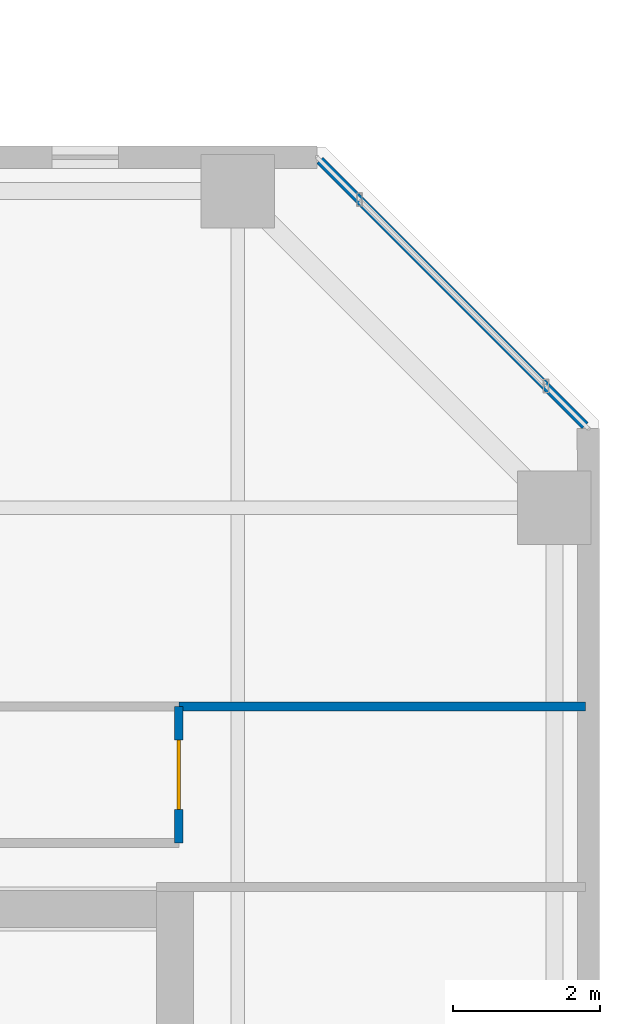
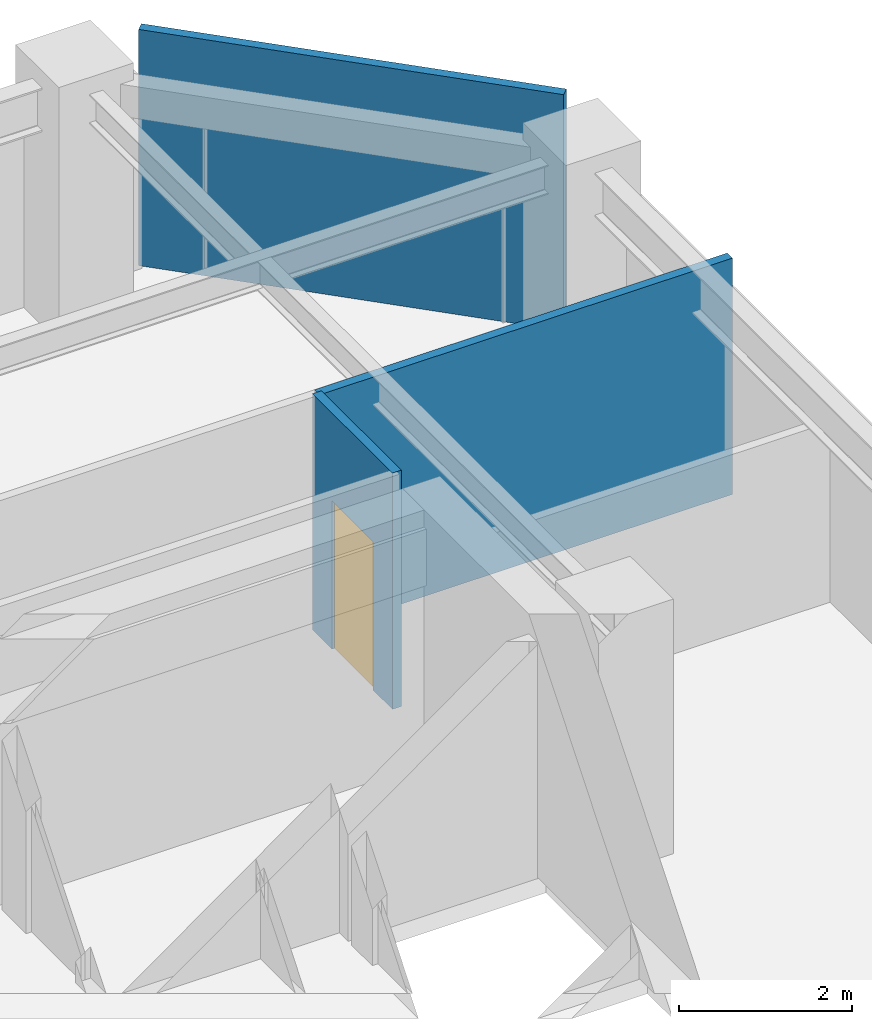
# One storey, part 26 of 33: 3 walls, 1 door, 1 opening.
"""IFC4 building model written with IfcOpenShell, lengths in metres."""

from ifc_helpers import new_model, si_unit, direction, frame, frame_2d, origin, place, context, subcontext, project, spatial, rectangle, extrude, material, layer, layer_set, type_object, element, fill, save


model = new_model("IFC4")

# Units and contexts
model_context = context("Model", 3, precision=1e-05, world=origin(), true_north=direction((0.0, 1.0)))
body_context = subcontext(model_context, "Body", "Model", "MODEL_VIEW")
ifc_project = project(units=[si_unit("LENGTHUNIT", "METRE"), si_unit("AREAUNIT", "SQUARE_METRE"), si_unit("VOLUMEUNIT", "CUBIC_METRE"), si_unit("PLANEANGLEUNIT", "RADIAN"), si_unit("MASSUNIT", "GRAM", prefix="KILO")], contexts=[model_context])

# Site, building, storey
site_placement = place(None, origin())
site = spatial("IfcSite", under=ifc_project, at=site_placement, CompositionType="ELEMENT")
building_placement = place(site_placement, origin())
building = spatial("IfcBuilding", under=site, at=building_placement, Name="Thornwick Lancets Civic Towers", CompositionType="ELEMENT")
storey_placement = place(building_placement, frame((0.0, 0.0, 207.300048828125)))
storey = spatial("IfcBuildingStorey", under=building, at=storey_placement, Name="L55", CompositionType="ELEMENT", Elevation=207.300048828125)

# Wall, opening, door
ifc_material_1 = material(Name="Acoustic gypsum board partition")
ifc_layer = layer(ifc_material_1, 0.1201171875, Name="Acoustic gypsum board partition")
ifc_layer_set = layer_set([ifc_layer], Name="Acoustic gypsum board partition")
wall_type = type_object("IfcWallType", Name="WALL_PART_120", PredefinedType="PARTITIONING", material=ifc_layer_set)
wall_1_placement = place(storey_placement, frame((100.699951171875, 35.449951171875, 0.0), z_axis=(0.0, 0.0, 1.0), x_axis=(0.0, 1.0, 0.0)))
wall_1 = element("IfcWall", 1, at=wall_1_placement, inside=storey, type_object=wall_type, Name="L55 Partition L55-B-RECLAIM-L E3", PredefinedType="PARTITIONING", context=body_context, shape_type="SweptSolid", body=[
    extrude(rectangle(XDim=1.85009765625, YDim=0.1201171875, at=frame_2d((0.925048828125, 0.0))), origin(), (0.0, 0.0, 1.0), 3.33984375),
])
opening_placement = place(wall_1_placement, frame((0.449951171875, 0.0, 0.0)))
opening = element("IfcOpeningElement", 2, at=opening_placement, cuts=wall_1, Name="Opening D-L55-2466", PredefinedType="OPENING", context=body_context, shape_type="SweptSolid", body=[
    extrude(rectangle(XDim=0.949951171875, YDim=2.10009765625, at=frame_2d((0.47509765625, 1.050048828125))), frame((0.0, 0.070068359375, 0.0), z_axis=(0.0, -1.0, 0.0), x_axis=(1.0, 0.0, 0.0)), (0.0, 0.0, 1.0), 0.14013671875),
])
ifc_material_2 = material(Name="European oak acoustic doorset")
door_type = type_object("IfcDoorType", Name="DOOR_OFFICE_950", OperationType="NOTDEFINED", PredefinedType="DOOR", material=ifc_material_2)
door_placement = place(opening_placement, origin())
door = element("IfcDoor", 3, at=door_placement, inside=storey, type_object=door_type, Name="L55 Tower B Parliamentary Drafting Library Door", OperationType="SINGLE_SWING_LEFT", OverallHeight=2.10009765625, OverallWidth=0.949951171875, PredefinedType="DOOR", context=body_context, shape_type="SweptSolid", body=[
    extrude(rectangle(XDim=0.949951171875, YDim=2.10009765625, at=frame_2d((0.47509765625, 1.050048828125))), frame((0.0, 0.02490234375, 0.0), z_axis=(0.0, -1.0, 0.0), x_axis=(1.0, 0.0, 0.0)), (0.0, 0.0, 1.0), 0.050048828125),
])
fill(opening, door)

# Walls
wall_2_placement = place(storey_placement, frame((100.699951171875, 37.300048828125, 0.0), z_axis=(0.0, 0.0, 1.0), x_axis=(1.0, 0.0, 0.0)))
element("IfcWall", 4, at=wall_2_placement, inside=storey, type_object=wall_type, Name="L55 Partition L55-B-RECLAIM-L E4", PredefinedType="PARTITIONING", context=body_context, shape_type="SweptSolid", body=[
    extrude(rectangle(XDim=5.52001953125, YDim=0.1201171875, at=frame_2d((2.760009765625, 0.0))), origin(), (0.0, 0.0, 1.0), 3.33984375),
])
wall_3_placement = place(storey_placement, frame((102.617431640625, 44.719970703125, 0.0), z_axis=(0.0, 0.0, 1.0), x_axis=(0.707106781187, -0.707106781187, 0.0)))
element("IfcWall", 5, at=wall_3_placement, inside=storey, type_object=wall_type, Name="L55 Partition L55-B-E1 E4", PredefinedType="PARTITIONING", context=body_context, shape_type="SweptSolid", body=[
    extrude(rectangle(XDim=5.0947265625, YDim=0.1201171875, at=frame_2d((2.54736328125, 0.0))), origin(), (0.0, 0.0, 1.0), 3.33984375),
])

save(model, "model.ifc")
